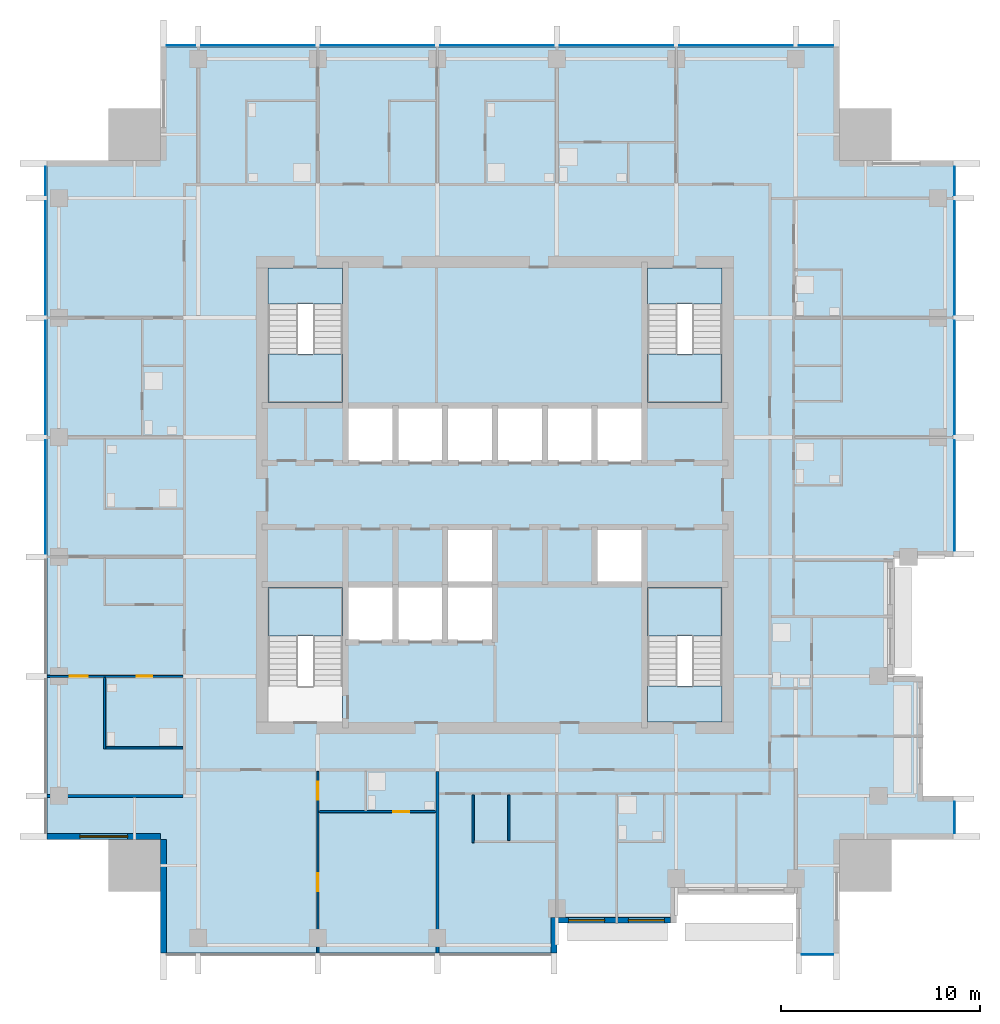
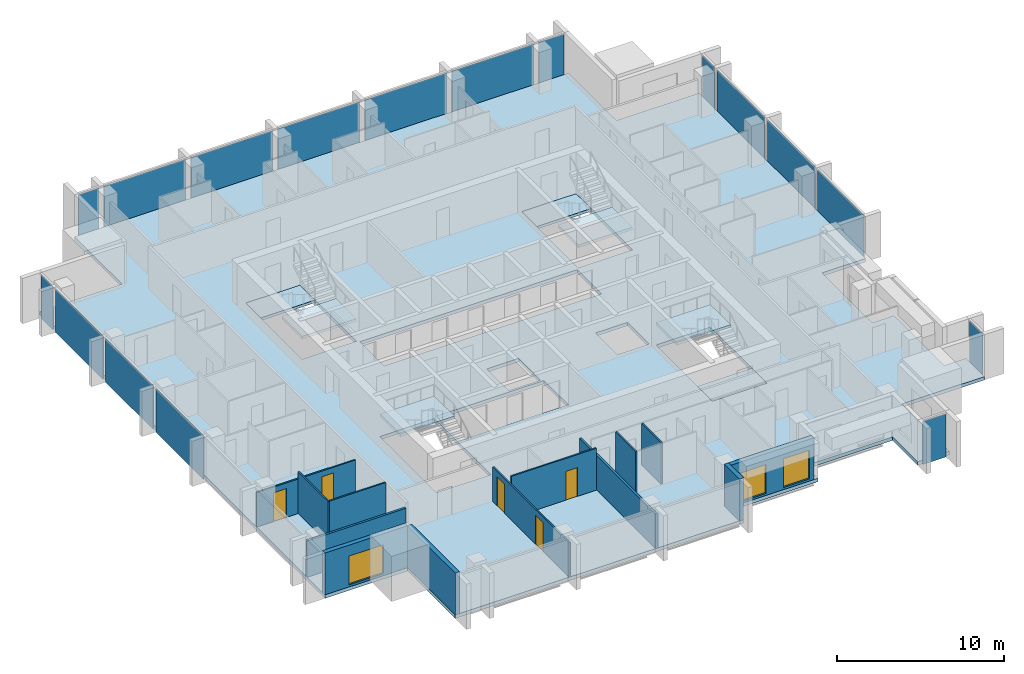
# One storey, part 3 of 10: 17 plates, 13 walls, 8 slabs, 5 doors, 3 windows, 8 openings, 9 elements without a shape of their own.
"""IFC4 building model written with IfcOpenShell, lengths in metres."""

from ifc_helpers import new_model, si_unit, direction, frame, frame_2d, origin, origin_2d, place, context, subcontext, project, spatial, polyline, rectangle, outline, extrude, material, layer, layer_set, type_object, element, fill, aggregate, save


model = new_model("IFC4")

# Units and contexts
model_context = context("Model", 3, precision=1e-05, world=origin(), true_north=direction((0.0, 1.0)))
body_context = subcontext(model_context, "Body", "Model", "MODEL_VIEW")
ifc_project = project(units=[si_unit("LENGTHUNIT", "METRE"), si_unit("AREAUNIT", "SQUARE_METRE"), si_unit("VOLUMEUNIT", "CUBIC_METRE"), si_unit("PLANEANGLEUNIT", "RADIAN"), si_unit("MASSUNIT", "GRAM", prefix="KILO")], contexts=[model_context])

# Site, building, storey
site_placement = place(None, origin())
site = spatial("IfcSite", under=ifc_project, at=site_placement, CompositionType="ELEMENT")
building_placement = place(site_placement, origin())
building = spatial("IfcBuilding", under=site, at=building_placement, Name="Amberfall Residences", CompositionType="ELEMENT")
storey_placement = place(building_placement, frame((0.0, 0.0, 203.5)))
storey = spatial("IfcBuildingStorey", under=building, at=storey_placement, Name="L54", CompositionType="ELEMENT", Elevation=203.5)

# Curtain wall, plate
ifc_material_1 = material(Name="Bronze anodised aluminium and glass", Category="aluminium")
curtain_wall_type = type_object("IfcCurtainWallType", Name="Curtain wall CW1 tower unit", PredefinedType="USERDEFINED", material=ifc_material_1)
curtain_wall_1_placement = place(storey_placement, origin())
curtain_wall_1 = element("IfcCurtainWall", 1, at=curtain_wall_1_placement, inside=storey, type_object=curtain_wall_type, Name="Curtain wall L54 S S7", ObjectType="UNITISED CURTAIN WALL", PredefinedType="USERDEFINED")
ifc_material_2 = material(Name="Tinted double glazed unit", Category="glass")
ifc_layer_1 = layer(ifc_material_2, 0.035888671875)
ifc_layer_set_1 = layer_set([ifc_layer_1], Name="CW1 panel 36 glazing")
plate_type = type_object("IfcPlateType", Name="CW1 panel 36 glazing", PredefinedType="CURTAIN_PANEL", material=ifc_layer_set_1)
plate_1_placement = place(storey_placement, frame((90.699951171875, 22.425048828125, -0.25), z_axis=(0.0, 0.0, 1.0), x_axis=(1.0, 0.0, 0.0)))
plate_1 = element("IfcPlate", 2, at=plate_1_placement, type_object=plate_type, Name="CW1 panel 1.1", PredefinedType="CURTAIN_PANEL", context=body_context, shape_type="SweptSolid", body=[
    extrude(rectangle(XDim=1.575927734375, YDim=0.035888671875, at=origin_2d()), origin(), (0.0, 0.0, 1.0), 3.14990234375),
])
aggregate(curtain_wall_1, [plate_1])

curtain_wall_2_placement = place(storey_placement, origin())
curtain_wall_2 = element("IfcCurtainWall", 3, at=curtain_wall_2_placement, inside=storey, type_object=curtain_wall_type, Name="Curtain wall L54 E E1", ObjectType="UNITISED CURTAIN WALL", PredefinedType="USERDEFINED")
plate_2_placement = place(storey_placement, frame((97.574951171875, 29.300048828125, -0.25), z_axis=(0.0, 0.0, 1.0), x_axis=(0.0, 1.0, 0.0)))
plate_2 = element("IfcPlate", 4, at=plate_2_placement, type_object=plate_type, Name="CW1 panel 1.1", PredefinedType="CURTAIN_PANEL", context=body_context, shape_type="SweptSolid", body=[
    extrude(rectangle(XDim=1.575927734375, YDim=0.035888671875, at=origin_2d()), origin(), (0.0, 0.0, 1.0), 3.14990234375),
])
aggregate(curtain_wall_2, [plate_2])

# Curtain wall, plates
curtain_wall_3_placement = place(storey_placement, origin())
curtain_wall_3 = element("IfcCurtainWall", 5, at=curtain_wall_3_placement, inside=storey, type_object=curtain_wall_type, Name="Curtain wall L54 E E7", ObjectType="UNITISED CURTAIN WALL", PredefinedType="USERDEFINED")
plate_3_placement = place(storey_placement, frame((97.574951171875, 45.47509765625, -0.25), z_axis=(0.0, 0.0, 1.0), x_axis=(0.0, 1.0, 0.0)))
plate_3 = element("IfcPlate", 6, at=plate_3_placement, type_object=plate_type, Name="CW1 panel 1.1", PredefinedType="CURTAIN_PANEL", context=body_context, shape_type="SweptSolid", body=[
    extrude(rectangle(XDim=5.52587890625, YDim=0.035888671875, at=origin_2d()), origin(), (0.0, 0.0, 1.0), 3.14990234375),
])
plate_4_placement = place(storey_placement, frame((97.574951171875, 51.39990234375, -0.25), z_axis=(0.0, 0.0, 1.0), x_axis=(0.0, 1.0, 0.0)))
plate_4 = element("IfcPlate", 7, at=plate_4_placement, type_object=plate_type, Name="CW1 panel 2.1", PredefinedType="CURTAIN_PANEL", context=body_context, shape_type="SweptSolid", body=[
    extrude(rectangle(XDim=5.676025390625, YDim=0.035888671875, at=origin_2d()), origin(), (0.0, 0.0, 1.0), 3.14990234375),
])
plate_5_placement = place(storey_placement, frame((97.574951171875, 57.39990234375, -0.25), z_axis=(0.0, 0.0, 1.0), x_axis=(0.0, 1.0, 0.0)))
plate_5 = element("IfcPlate", 8, at=plate_5_placement, type_object=plate_type, Name="CW1 panel 3.1", PredefinedType="CURTAIN_PANEL", context=body_context, shape_type="SweptSolid", body=[
    extrude(rectangle(XDim=5.676025390625, YDim=0.035888671875, at=origin_2d()), origin(), (0.0, 0.0, 1.0), 3.14990234375),
])
plate_6_placement = place(storey_placement, frame((97.574951171875, 61.27490234375, -0.25), z_axis=(0.0, 0.0, 1.0), x_axis=(0.0, 1.0, 0.0)))
plate_6 = element("IfcPlate", 9, at=plate_6_placement, type_object=plate_type, Name="CW1 panel 4.1", PredefinedType="CURTAIN_PANEL", context=body_context, shape_type="SweptSolid", body=[
    extrude(rectangle(XDim=1.426025390625, YDim=0.035888671875, at=origin_2d()), origin(), (0.0, 0.0, 1.0), 3.14990234375),
])
aggregate(curtain_wall_3, [plate_3, plate_4, plate_5, plate_6])

curtain_wall_4_placement = place(storey_placement, origin())
curtain_wall_4 = element("IfcCurtainWall", 10, at=curtain_wall_4_placement, inside=storey, type_object=curtain_wall_type, Name="Curtain wall L54 N N1", ObjectType="UNITISED CURTAIN WALL", PredefinedType="USERDEFINED")
plate_7_placement = place(storey_placement, frame((90.625, 68.074951171875, -0.25), z_axis=(0.0, 0.0, 1.0), x_axis=(-1.0, 0.0, 0.0)))
plate_7 = element("IfcPlate", 11, at=plate_7_placement, type_object=plate_type, Name="CW1 panel 1.1", PredefinedType="CURTAIN_PANEL", context=body_context, shape_type="SweptSolid", body=[
    extrude(rectangle(XDim=1.72607421875, YDim=0.035888671875, at=origin_2d()), origin(), (0.0, 0.0, 1.0), 3.14990234375),
])
plate_8_placement = place(storey_placement, frame((86.60009765625, 68.074951171875, -0.25), z_axis=(0.0, 0.0, 1.0), x_axis=(-1.0, 0.0, 0.0)))
plate_8 = element("IfcPlate", 12, at=plate_8_placement, type_object=plate_type, Name="CW1 panel 2.1", PredefinedType="CURTAIN_PANEL", context=body_context, shape_type="SweptSolid", body=[
    extrude(rectangle(XDim=5.676025390625, YDim=0.035888671875, at=origin_2d()), origin(), (0.0, 0.0, 1.0), 3.14990234375),
])
plate_9_placement = place(storey_placement, frame((80.60009765625, 68.074951171875, -0.25), z_axis=(0.0, 0.0, 1.0), x_axis=(-1.0, 0.0, 0.0)))
plate_9 = element("IfcPlate", 13, at=plate_9_placement, type_object=plate_type, Name="CW1 panel 3.1", PredefinedType="CURTAIN_PANEL", context=body_context, shape_type="SweptSolid", body=[
    extrude(rectangle(XDim=5.676025390625, YDim=0.035888671875, at=origin_2d()), origin(), (0.0, 0.0, 1.0), 3.14990234375),
])
plate_10_placement = place(storey_placement, frame((74.60009765625, 68.074951171875, -0.25), z_axis=(0.0, 0.0, 1.0), x_axis=(-1.0, 0.0, 0.0)))
plate_10 = element("IfcPlate", 14, at=plate_10_placement, type_object=plate_type, Name="CW1 panel 4.1", PredefinedType="CURTAIN_PANEL", context=body_context, shape_type="SweptSolid", body=[
    extrude(rectangle(XDim=5.676025390625, YDim=0.035888671875, at=origin_2d()), origin(), (0.0, 0.0, 1.0), 3.14990234375),
])
plate_11_placement = place(storey_placement, frame((68.60009765625, 68.074951171875, -0.25), z_axis=(0.0, 0.0, 1.0), x_axis=(-1.0, 0.0, 0.0)))
plate_11 = element("IfcPlate", 15, at=plate_11_placement, type_object=plate_type, Name="CW1 panel 5.1", PredefinedType="CURTAIN_PANEL", context=body_context, shape_type="SweptSolid", body=[
    extrude(rectangle(XDim=5.676025390625, YDim=0.035888671875, at=origin_2d()), origin(), (0.0, 0.0, 1.0), 3.14990234375),
])
plate_12_placement = place(storey_placement, frame((62.60009765625, 68.074951171875, -0.25), z_axis=(0.0, 0.0, 1.0), x_axis=(-1.0, 0.0, 0.0)))
plate_12 = element("IfcPlate", 16, at=plate_12_placement, type_object=plate_type, Name="CW1 panel 6.1", PredefinedType="CURTAIN_PANEL", context=body_context, shape_type="SweptSolid", body=[
    extrude(rectangle(XDim=5.676025390625, YDim=0.035888671875, at=origin_2d()), origin(), (0.0, 0.0, 1.0), 3.14990234375),
])
plate_13_placement = place(storey_placement, frame((58.72509765625, 68.074951171875, -0.25), z_axis=(0.0, 0.0, 1.0), x_axis=(-1.0, 0.0, 0.0)))
plate_13 = element("IfcPlate", 17, at=plate_13_placement, type_object=plate_type, Name="CW1 panel 7.1", PredefinedType="CURTAIN_PANEL", context=body_context, shape_type="SweptSolid", body=[
    extrude(rectangle(XDim=1.426025390625, YDim=0.035888671875, at=origin_2d()), origin(), (0.0, 0.0, 1.0), 3.14990234375),
])
aggregate(curtain_wall_4, [plate_7, plate_8, plate_9, plate_10, plate_11, plate_12, plate_13])

curtain_wall_5_placement = place(storey_placement, origin())
curtain_wall_5 = element("IfcCurtainWall", 18, at=curtain_wall_5_placement, inside=storey, type_object=curtain_wall_type, Name="Curtain wall L54 W W1", ObjectType="UNITISED CURTAIN WALL", PredefinedType="USERDEFINED")
plate_14_placement = place(storey_placement, frame((51.925048828125, 61.27490234375, -0.25), z_axis=(0.0, 0.0, 1.0), x_axis=(0.0, -1.0, 0.0)))
plate_14 = element("IfcPlate", 19, at=plate_14_placement, type_object=plate_type, Name="CW1 panel 1.1", PredefinedType="CURTAIN_PANEL", context=body_context, shape_type="SweptSolid", body=[
    extrude(rectangle(XDim=1.426025390625, YDim=0.035888671875, at=origin_2d()), origin(), (0.0, 0.0, 1.0), 3.14990234375),
])
plate_15_placement = place(storey_placement, frame((51.925048828125, 57.39990234375, -0.25), z_axis=(0.0, 0.0, 1.0), x_axis=(0.0, -1.0, 0.0)))
plate_15 = element("IfcPlate", 20, at=plate_15_placement, type_object=plate_type, Name="CW1 panel 2.1", PredefinedType="CURTAIN_PANEL", context=body_context, shape_type="SweptSolid", body=[
    extrude(rectangle(XDim=5.676025390625, YDim=0.035888671875, at=origin_2d()), origin(), (0.0, 0.0, 1.0), 3.14990234375),
])
plate_16_placement = place(storey_placement, frame((51.925048828125, 51.39990234375, -0.25), z_axis=(0.0, 0.0, 1.0), x_axis=(0.0, -1.0, 0.0)))
plate_16 = element("IfcPlate", 21, at=plate_16_placement, type_object=plate_type, Name="CW1 panel 3.1", PredefinedType="CURTAIN_PANEL", context=body_context, shape_type="SweptSolid", body=[
    extrude(rectangle(XDim=5.676025390625, YDim=0.035888671875, at=origin_2d()), origin(), (0.0, 0.0, 1.0), 3.14990234375),
])
plate_17_placement = place(storey_placement, frame((51.925048828125, 45.39990234375, -0.25), z_axis=(0.0, 0.0, 1.0), x_axis=(0.0, -1.0, 0.0)))
plate_17 = element("IfcPlate", 22, at=plate_17_placement, type_object=plate_type, Name="CW1 panel 4.1", PredefinedType="CURTAIN_PANEL", context=body_context, shape_type="SweptSolid", body=[
    extrude(rectangle(XDim=5.676025390625, YDim=0.035888671875, at=origin_2d()), origin(), (0.0, 0.0, 1.0), 3.14990234375),
])
aggregate(curtain_wall_5, [plate_14, plate_15, plate_16, plate_17])

# Slab
ifc_material_3 = material(Name="Concrete C55", Category="concrete")
ifc_layer_2 = layer(ifc_material_3, 0.25)
ifc_layer_set_2 = layer_set([ifc_layer_2], Name="Floor slab 250 C55")
slab_type_1 = type_object("IfcSlabType", Name="Floor slab 250 C55", PredefinedType="FLOOR", material=ifc_layer_set_2)
slab_1_placement = place(storey_placement, frame((0.0, 0.0, -0.25)))
element("IfcSlab", 23, at=slab_1_placement, inside=storey, type_object=slab_type_1, Name="Floor slab S16 L54", PredefinedType="FLOOR", context=body_context, shape_type="SweptSolid", body=[
    extrude(outline(polyline([(89.60009765625, 22.5), (89.60009765625, 25.5), (83.60009765625, 25.5), (83.60009765625, 24.0), (77.60009765625, 24.0), (77.60009765625, 22.5), (57.699951171875, 22.5), (57.699951171875, 28.199951171875), (52.0, 28.199951171875), (52.0, 62.300048828125), (57.699951171875, 62.300048828125), (57.699951171875, 68.0), (91.800048828125, 68.0), (91.800048828125, 62.300048828125), (97.5, 62.300048828125), (97.5, 42.39990234375), (94.5, 42.39990234375), (94.5, 36.39990234375), (96.0, 36.39990234375), (96.0, 30.39990234375), (97.5, 30.39990234375), (97.5, 28.199951171875), (91.800048828125, 28.199951171875), (91.800048828125, 22.5), (89.60009765625, 22.5)]), holes=[polyline([(85.89990234375, 34.10009765625), (85.89990234375, 40.85009765625), (82.14990234375, 40.85009765625), (82.14990234375, 34.10009765625), (85.89990234375, 34.10009765625)]), polyline([(85.89990234375, 50.14990234375), (85.89990234375, 56.89990234375), (82.14990234375, 56.89990234375), (82.14990234375, 50.14990234375), (85.89990234375, 50.14990234375)]), polyline([(72.0, 50.0), (69.5, 50.0), (67.0, 50.0), (67.0, 47.10009765625), (69.5, 47.10009765625), (72.0, 47.10009765625), (74.5, 47.10009765625), (77.0, 47.10009765625), (79.5, 47.10009765625), (82.0, 47.10009765625), (82.0, 50.0), (79.5, 50.0), (77.0, 50.0), (74.5, 50.0), (72.0, 50.0)]), polyline([(81.85009765625, 41.14990234375), (81.85009765625, 43.75), (79.64990234375, 43.75), (79.64990234375, 41.14990234375), (81.85009765625, 41.14990234375)]), polyline([(69.5, 41.0), (67.0, 41.0), (67.0, 38.10009765625), (69.5, 38.10009765625), (72.0, 38.10009765625), (74.5, 38.10009765625), (74.5, 41.0), (72.0, 41.0), (69.5, 41.0)]), polyline([(74.35009765625, 41.14990234375), (74.35009765625, 43.75), (72.14990234375, 43.75), (72.14990234375, 41.14990234375), (74.35009765625, 41.14990234375)]), polyline([(66.85009765625, 50.14990234375), (66.85009765625, 56.89990234375), (63.10009765625, 56.89990234375), (63.10009765625, 50.14990234375), (66.85009765625, 50.14990234375)]), polyline([(66.85009765625, 40.85009765625), (63.10009765625, 40.85009765625), (63.10009765625, 34.10009765625), (66.85009765625, 34.10009765625), (66.85009765625, 40.85009765625)])]), origin(), (0.0, 0.0, 1.0), 0.25),
])

# Stair, slab
ifc_material_4 = material(Name="Concrete C40", Category="concrete")
stair_type = type_object("IfcStairType", Name="Exit stair 20 risers 165.0 mm", PredefinedType="HALF_TURN_STAIR", material=ifc_material_4)
stair_1_placement = place(storey_placement, origin())
stair_1 = element("IfcStair", 24, at=stair_1_placement, inside=storey, type_object=stair_type, Name="L54 Exit stair 1", PredefinedType="HALF_TURN_STAIR")
ifc_layer_3 = layer(ifc_material_4, 0.199951171875)
ifc_layer_set_3 = layer_set([ifc_layer_3], Name="Stair landing 200")
slab_type_2 = type_object("IfcSlabType", Name="Stair landing 200", PredefinedType="LANDING", material=ifc_layer_set_3)
slab_2_placement = place(storey_placement, frame((0.0, 0.0, 1.449951171875)))
slab_2 = element("IfcSlab", 25, at=slab_2_placement, type_object=slab_type_2, Name="ST3 landing 1", PredefinedType="LANDING", context=body_context, shape_type="SweptSolid", body=[
    extrude(outline(polyline([(66.85009765625, 38.419921875), (66.85009765625, 40.85009765625), (63.10009765625, 40.85009765625), (63.10009765625, 38.419921875), (66.85009765625, 38.419921875)])), origin(), (0.0, 0.0, 1.0), 0.199951171875),
])
aggregate(stair_1, [slab_2])

# Stair, slabs
stair_2_placement = place(storey_placement, origin())
stair_2 = element("IfcStair", 26, at=stair_2_placement, inside=storey, type_object=stair_type, Name="L54 Exit stair 2", PredefinedType="HALF_TURN_STAIR")
slab_3_placement = place(storey_placement, frame((0.0, 0.0, 1.449951171875)))
slab_3 = element("IfcSlab", 27, at=slab_3_placement, type_object=slab_type_2, Name="ST3 landing 1", PredefinedType="LANDING", context=body_context, shape_type="SweptSolid", body=[
    extrude(outline(polyline([(85.89990234375, 38.419921875), (85.89990234375, 40.85009765625), (82.14990234375, 40.85009765625), (82.14990234375, 38.419921875), (85.89990234375, 38.419921875)])), origin(), (0.0, 0.0, 1.0), 0.199951171875),
])
slab_4_placement = place(storey_placement, frame((0.0, 0.0, -0.199951171875)))
slab_4 = element("IfcSlab", 28, at=slab_4_placement, type_object=slab_type_2, Name="ST3 landing 2", PredefinedType="LANDING", context=body_context, shape_type="SweptSolid", body=[
    extrude(outline(polyline([(85.89990234375, 34.10009765625), (85.89990234375, 35.89990234375), (82.14990234375, 35.89990234375), (82.14990234375, 34.10009765625), (85.89990234375, 34.10009765625)])), origin(), (0.0, 0.0, 1.0), 0.199951171875),
])
aggregate(stair_2, [slab_3, slab_4])

stair_3_placement = place(storey_placement, origin())
stair_3 = element("IfcStair", 29, at=stair_3_placement, inside=storey, type_object=stair_type, Name="L54 Exit stair 3", PredefinedType="HALF_TURN_STAIR")
slab_5_placement = place(storey_placement, frame((0.0, 0.0, 1.449951171875)))
slab_5 = element("IfcSlab", 30, at=slab_5_placement, type_object=slab_type_2, Name="ST3 landing 1", PredefinedType="LANDING", context=body_context, shape_type="SweptSolid", body=[
    extrude(outline(polyline([(82.14990234375, 52.580078125), (82.14990234375, 50.14990234375), (85.89990234375, 50.14990234375), (85.89990234375, 52.580078125), (82.14990234375, 52.580078125)])), origin(), (0.0, 0.0, 1.0), 0.199951171875),
])
slab_6_placement = place(storey_placement, frame((0.0, 0.0, -0.199951171875)))
slab_6 = element("IfcSlab", 31, at=slab_6_placement, type_object=slab_type_2, Name="ST3 landing 2", PredefinedType="LANDING", context=body_context, shape_type="SweptSolid", body=[
    extrude(outline(polyline([(82.14990234375, 56.89990234375), (82.14990234375, 55.10009765625), (85.89990234375, 55.10009765625), (85.89990234375, 56.89990234375), (82.14990234375, 56.89990234375)])), origin(), (0.0, 0.0, 1.0), 0.199951171875),
])
aggregate(stair_3, [slab_5, slab_6])

stair_4_placement = place(storey_placement, origin())
stair_4 = element("IfcStair", 32, at=stair_4_placement, inside=storey, type_object=stair_type, Name="L54 Exit stair 4", PredefinedType="HALF_TURN_STAIR")
slab_7_placement = place(storey_placement, frame((0.0, 0.0, 1.449951171875)))
slab_7 = element("IfcSlab", 33, at=slab_7_placement, type_object=slab_type_2, Name="ST3 landing 1", PredefinedType="LANDING", context=body_context, shape_type="SweptSolid", body=[
    extrude(outline(polyline([(63.10009765625, 52.580078125), (63.10009765625, 50.14990234375), (66.85009765625, 50.14990234375), (66.85009765625, 52.580078125), (63.10009765625, 52.580078125)])), origin(), (0.0, 0.0, 1.0), 0.199951171875),
])
slab_8_placement = place(storey_placement, frame((0.0, 0.0, -0.199951171875)))
slab_8 = element("IfcSlab", 34, at=slab_8_placement, type_object=slab_type_2, Name="ST3 landing 2", PredefinedType="LANDING", context=body_context, shape_type="SweptSolid", body=[
    extrude(outline(polyline([(63.10009765625, 56.89990234375), (63.10009765625, 55.10009765625), (66.85009765625, 55.10009765625), (66.85009765625, 56.89990234375), (63.10009765625, 56.89990234375)])), origin(), (0.0, 0.0, 1.0), 0.199951171875),
])
aggregate(stair_4, [slab_7, slab_8])

# Wall
ifc_material_5 = material(Name="Pale stone cladding on insulated backing", Category="masonry")
ifc_layer_4 = layer(ifc_material_5, 0.300048828125)
ifc_layer_set_4 = layer_set([ifc_layer_4], Name="Bronze clad wall 300")
wall_type_1 = type_object("IfcWallType", Name="Bronze clad wall 300", PredefinedType="SOLIDWALL", material=ifc_layer_set_4)
wall_1_placement = place(storey_placement, frame((77.449951171875, 22.5, 0.0), z_axis=(0.0, 0.0, 1.0), x_axis=(0.0, 1.0, 0.0)))
element("IfcWall", 35, at=wall_1_placement, inside=storey, type_object=wall_type_1, Name="External wall L54 S", PredefinedType="SOLIDWALL", context=body_context, shape_type="SweptSolid", body=[
    extrude(rectangle(XDim=1.800048828125, YDim=0.300048828125, at=frame_2d((0.89990234375, 0.0))), origin(), (0.0, 0.0, 1.0), 3.050048828125),
])

# Wall, opening, window
wall_2_placement = place(storey_placement, frame((52.0, 28.35009765625, 0.0), z_axis=(0.0, 0.0, 1.0), x_axis=(1.0, 0.0, 0.0)))
wall_2 = element("IfcWall", 36, at=wall_2_placement, inside=storey, type_object=wall_type_1, Name="External wall L54 SW", PredefinedType="SOLIDWALL", context=body_context, shape_type="SweptSolid", body=[
    extrude(rectangle(XDim=5.699951171875, YDim=0.300048828125, at=frame_2d((2.85009765625, 0.0))), origin(), (0.0, 0.0, 1.0), 3.050048828125),
])
opening_1_placement = place(wall_2_placement, frame((1.64990234375, 0.0, 0.14990234375)))
opening_1 = element("IfcOpeningElement", 37, at=opening_1_placement, cuts=wall_2, Name="Opening WN5", PredefinedType="OPENING", context=body_context, shape_type="SweptSolid", body=[
    extrude(rectangle(XDim=2.39990234375, YDim=2.10009765625, at=frame_2d((1.199951171875, 1.050048828125))), frame((0.0, 0.159912109375, 0.0), z_axis=(0.0, -1.0, 0.0), x_axis=(1.0, 0.0, 0.0)), (0.0, 0.0, 1.0), 0.320068359375),
])
ifc_material_6 = material(Name="Bronze aluminium framed glazing", Category="aluminium")
window_type_1 = type_object("IfcWindowType", Name="Glazed opening 2400 x 2100 bronze", PartitioningType="DOUBLE_PANEL_VERTICAL", PredefinedType="WINDOW", material=ifc_material_6)
window_1_placement = place(opening_1_placement, origin())
window_1 = element("IfcWindow", 38, at=window_1_placement, inside=storey, type_object=window_type_1, Name="Window L54 SW", OverallHeight=2.10009765625, OverallWidth=2.39990234375, PartitioningType="DOUBLE_PANEL_VERTICAL", PredefinedType="WINDOW", context=body_context, shape_type="SweptSolid", body=[
    extrude(rectangle(XDim=2.39990234375, YDim=2.10009765625, at=frame_2d((1.199951171875, 1.050048828125))), frame((0.0, 0.030029296875, 0.0), z_axis=(0.0, -1.0, 0.0), x_axis=(1.0, 0.0, 0.0)), (0.0, 0.0, 1.0), 0.06005859375),
])
fill(opening_1, window_1)

# Wall
wall_3_placement = place(storey_placement, frame((57.85009765625, 28.199951171875, 0.0), z_axis=(0.0, 0.0, 1.0), x_axis=(0.0, -1.0, 0.0)))
element("IfcWall", 39, at=wall_3_placement, inside=storey, type_object=wall_type_1, Name="External wall L54 SW", PredefinedType="SOLIDWALL", context=body_context, shape_type="SweptSolid", body=[
    extrude(rectangle(XDim=5.699951171875, YDim=0.300048828125, at=frame_2d((2.85009765625, 0.0))), origin(), (0.0, 0.0, 1.0), 3.050048828125),
])

# Wall, openings, windows
wall_4_placement = place(storey_placement, frame((77.60009765625, 24.14990234375, 0.0), z_axis=(0.0, 0.0, 1.0), x_axis=(1.0, 0.0, 0.0)))
wall_4 = element("IfcWall", 40, at=wall_4_placement, inside=storey, type_object=wall_type_1, Name="Stone wall L54 S", PredefinedType="SOLIDWALL", context=body_context, shape_type="SweptSolid", body=[
    extrude(rectangle(XDim=5.699951171875, YDim=0.300048828125, at=frame_2d((2.85009765625, 0.0))), origin(), (0.0, 0.0, 1.0), 3.050048828125),
])
opening_2_placement = place(wall_4_placement, frame((0.60009765625, 0.0, 0.14990234375)))
opening_2 = element("IfcOpeningElement", 41, at=opening_2_placement, cuts=wall_4, Name="Opening WN6", PredefinedType="OPENING", context=body_context, shape_type="SweptSolid", body=[
    extrude(rectangle(XDim=1.800048828125, YDim=2.10009765625, at=frame_2d((0.89990234375, 1.050048828125))), frame((0.0, 0.159912109375, 0.0), z_axis=(0.0, -1.0, 0.0), x_axis=(1.0, 0.0, 0.0)), (0.0, 0.0, 1.0), 0.320068359375),
])
opening_3_placement = place(wall_4_placement, frame((3.60009765625, 0.0, 0.14990234375)))
opening_3 = element("IfcOpeningElement", 42, at=opening_3_placement, cuts=wall_4, Name="Opening WN6", PredefinedType="OPENING", context=body_context, shape_type="SweptSolid", body=[
    extrude(rectangle(XDim=1.800048828125, YDim=2.10009765625, at=frame_2d((0.89990234375, 1.050048828125))), frame((0.0, 0.159912109375, 0.0), z_axis=(0.0, -1.0, 0.0), x_axis=(1.0, 0.0, 0.0)), (0.0, 0.0, 1.0), 0.320068359375),
])
window_type_2 = type_object("IfcWindowType", Name="Glazed opening 1800 x 2100 bronze", PartitioningType="DOUBLE_PANEL_VERTICAL", PredefinedType="WINDOW", material=ifc_material_6)
window_2_placement = place(opening_2_placement, origin())
window_2 = element("IfcWindow", 43, at=window_2_placement, inside=storey, type_object=window_type_2, Name="Window L54 S", OverallHeight=2.10009765625, OverallWidth=1.800048828125, PartitioningType="DOUBLE_PANEL_VERTICAL", PredefinedType="WINDOW", context=body_context, shape_type="SweptSolid", body=[
    extrude(rectangle(XDim=1.800048828125, YDim=2.10009765625, at=frame_2d((0.89990234375, 1.050048828125))), frame((0.0, 0.030029296875, 0.0), z_axis=(0.0, -1.0, 0.0), x_axis=(1.0, 0.0, 0.0)), (0.0, 0.0, 1.0), 0.06005859375),
])
fill(opening_2, window_2)
window_3_placement = place(opening_3_placement, origin())
window_3 = element("IfcWindow", 44, at=window_3_placement, inside=storey, type_object=window_type_2, Name="Window L54 S", OverallHeight=2.10009765625, OverallWidth=1.800048828125, PartitioningType="DOUBLE_PANEL_VERTICAL", PredefinedType="WINDOW", context=body_context, shape_type="SweptSolid", body=[
    extrude(rectangle(XDim=1.800048828125, YDim=2.10009765625, at=frame_2d((0.89990234375, 1.050048828125))), frame((0.0, 0.030029296875, 0.0), z_axis=(0.0, -1.0, 0.0), x_axis=(1.0, 0.0, 0.0)), (0.0, 0.0, 1.0), 0.06005859375),
])
fill(opening_3, window_3)

# Wall
ifc_material_7 = material(Name="Gypsum board on metal stud")
ifc_layer_5 = layer(ifc_material_7, 0.10009765625)
ifc_layer_set_5 = layer_set([ifc_layer_5], Name="Flat partition 100")
wall_type_2 = type_object("IfcWallType", Name="Flat partition 100", PredefinedType="PARTITIONING", material=ifc_layer_set_5)
wall_5_placement = place(storey_placement, frame((54.89990234375, 32.75, 0.0), z_axis=(0.0, 0.0, 1.0), x_axis=(0.0, 1.0, 0.0)))
element("IfcWall", 45, at=wall_5_placement, inside=storey, type_object=wall_type_2, Name="Partition 001", PredefinedType="PARTITIONING", context=body_context, shape_type="SweptSolid", body=[
    extrude(rectangle(XDim=3.60009765625, YDim=0.10009765625, at=frame_2d((1.800048828125, 0.0))), origin(), (0.0, 0.0, 1.0), 3.050048828125),
])

# Wall, openings, doors
wall_6_placement = place(storey_placement, frame((65.60009765625, 31.625, 0.0), z_axis=(0.0, 0.0, 1.0), x_axis=(0.0, -1.0, 0.0)))
wall_6 = element("IfcWall", 46, at=wall_6_placement, inside=storey, type_object=wall_type_2, Name="Partition 006", PredefinedType="PARTITIONING", context=body_context, shape_type="SweptSolid", body=[
    extrude(rectangle(XDim=9.125, YDim=0.10009765625, at=frame_2d((4.5625, 0.0))), origin(), (0.0, 0.0, 1.0), 2.51611328125),
])
opening_4_placement = place(wall_6_placement, frame((0.52490234375, 0.0, 0.0)))
opening_4 = element("IfcOpeningElement", 47, at=opening_4_placement, cuts=wall_6, Name="Opening D41", PredefinedType="OPENING", context=body_context, shape_type="SweptSolid", body=[
    extrude(rectangle(XDim=0.89990234375, YDim=2.10009765625, at=frame_2d((0.449951171875, 1.050048828125))), frame((0.0, 0.06005859375, 0.0), z_axis=(0.0, -1.0, 0.0), x_axis=(1.0, 0.0, 0.0)), (0.0, 0.0, 1.0), 0.1201171875),
])
opening_5_placement = place(wall_6_placement, frame((5.125, 0.0, 0.0)))
opening_5 = element("IfcOpeningElement", 48, at=opening_5_placement, cuts=wall_6, Name="Opening D41", PredefinedType="OPENING", context=body_context, shape_type="SweptSolid", body=[
    extrude(rectangle(XDim=0.89990234375, YDim=2.10009765625, at=frame_2d((0.449951171875, 1.050048828125))), frame((0.0, 0.06005859375, 0.0), z_axis=(0.0, -1.0, 0.0), x_axis=(1.0, 0.0, 0.0)), (0.0, 0.0, 1.0), 0.1201171875),
])
ifc_material_8 = material(Name="Timber", Category="wood")
door_type_1 = type_object("IfcDoorType", Name="Internal door 900 x 2100", OperationType="SINGLE_SWING_LEFT", PredefinedType="DOOR", material=ifc_material_8)
door_1_placement = place(opening_4_placement, origin())
door_1 = element("IfcDoor", 49, at=door_1_placement, inside=storey, type_object=door_type_1, Name="Door 5401 kitchen", OperationType="SINGLE_SWING_LEFT", OverallHeight=2.10009765625, OverallWidth=0.89990234375, PredefinedType="DOOR", context=body_context, shape_type="SweptSolid", body=[
    extrude(rectangle(XDim=0.89990234375, YDim=2.10009765625, at=frame_2d((0.449951171875, 1.050048828125))), frame((0.0, 0.02490234375, 0.0), z_axis=(0.0, -1.0, 0.0), x_axis=(1.0, 0.0, 0.0)), (0.0, 0.0, 1.0), 0.050048828125),
])
fill(opening_4, door_1)
door_2_placement = place(opening_5_placement, origin())
door_2 = element("IfcDoor", 50, at=door_2_placement, inside=storey, type_object=door_type_1, Name="Door 5401 bedroom1", OperationType="SINGLE_SWING_LEFT", OverallHeight=2.10009765625, OverallWidth=0.89990234375, PredefinedType="DOOR", context=body_context, shape_type="SweptSolid", body=[
    extrude(rectangle(XDim=0.89990234375, YDim=2.10009765625, at=frame_2d((0.449951171875, 1.050048828125))), frame((0.0, 0.02490234375, 0.0), z_axis=(0.0, -1.0, 0.0), x_axis=(1.0, 0.0, 0.0)), (0.0, 0.0, 1.0), 0.050048828125),
])
fill(opening_5, door_2)

# Walls
wall_7_placement = place(storey_placement, frame((73.39990234375, 28.050048828125, 0.0), z_axis=(0.0, 0.0, 1.0), x_axis=(0.0, 1.0, 0.0)))
element("IfcWall", 51, at=wall_7_placement, inside=storey, type_object=wall_type_2, Name="Partition 011", PredefinedType="PARTITIONING", context=body_context, shape_type="SweptSolid", body=[
    extrude(rectangle(XDim=2.39990234375, YDim=0.10009765625, at=frame_2d((1.199951171875, 0.0))), origin(), (0.0, 0.0, 1.0), 3.050048828125),
])
wall_8_placement = place(storey_placement, frame((75.199951171875, 28.14990234375, 0.0), z_axis=(0.0, 0.0, 1.0), x_axis=(0.0, 1.0, 0.0)))
element("IfcWall", 52, at=wall_8_placement, inside=storey, type_object=wall_type_2, Name="Partition 013", PredefinedType="PARTITIONING", context=body_context, shape_type="SweptSolid", body=[
    extrude(rectangle(XDim=2.300048828125, YDim=0.10009765625, at=frame_2d((1.14990234375, 0.0))), origin(), (0.0, 0.0, 1.0), 3.050048828125),
])

# Wall, openings, doors
wall_9_placement = place(storey_placement, frame((58.824951171875, 36.39990234375, 0.0), z_axis=(0.0, 0.0, 1.0), x_axis=(-1.0, 0.0, 0.0)))
wall_9 = element("IfcWall", 53, at=wall_9_placement, inside=storey, type_object=wall_type_2, Name="Partition 041", PredefinedType="PARTITIONING", context=body_context, shape_type="SweptSolid", body=[
    extrude(rectangle(XDim=6.824951171875, YDim=0.10009765625, at=frame_2d((3.41259765625, 0.0))), origin(), (0.0, 0.0, 1.0), 2.51611328125),
])
opening_6_placement = place(wall_9_placement, frame((4.77490234375, 0.0, 0.0)))
opening_6 = element("IfcOpeningElement", 54, at=opening_6_placement, cuts=wall_9, Name="Opening D41", PredefinedType="OPENING", context=body_context, shape_type="SweptSolid", body=[
    extrude(rectangle(XDim=0.89990234375, YDim=2.10009765625, at=frame_2d((0.449951171875, 1.050048828125))), frame((0.0, 0.06005859375, 0.0), z_axis=(0.0, -1.0, 0.0), x_axis=(1.0, 0.0, 0.0)), (0.0, 0.0, 1.0), 0.1201171875),
])
opening_7_placement = place(wall_9_placement, frame((1.52490234375, 0.0, 0.0)))
opening_7 = element("IfcOpeningElement", 55, at=opening_7_placement, cuts=wall_9, Name="Opening D42", PredefinedType="OPENING", context=body_context, shape_type="SweptSolid", body=[
    extrude(rectangle(XDim=0.800048828125, YDim=2.10009765625, at=frame_2d((0.39990234375, 1.050048828125))), frame((0.0, 0.06005859375, 0.0), z_axis=(0.0, -1.0, 0.0), x_axis=(1.0, 0.0, 0.0)), (0.0, 0.0, 1.0), 0.1201171875),
])
door_type_2 = type_object("IfcDoorType", Name="Bathroom door 800 x 2100", OperationType="SINGLE_SWING_LEFT", PredefinedType="DOOR", material=ifc_material_8)
door_3_placement = place(opening_7_placement, origin())
door_3 = element("IfcDoor", 56, at=door_3_placement, inside=storey, type_object=door_type_2, Name="Door 5407 bath1", OperationType="SINGLE_SWING_LEFT", OverallHeight=2.10009765625, OverallWidth=0.800048828125, PredefinedType="DOOR", context=body_context, shape_type="SweptSolid", body=[
    extrude(rectangle(XDim=0.800048828125, YDim=2.10009765625, at=frame_2d((0.39990234375, 1.050048828125))), frame((0.0, 0.02490234375, 0.0), z_axis=(0.0, -1.0, 0.0), x_axis=(1.0, 0.0, 0.0)), (0.0, 0.0, 1.0), 0.050048828125),
])
fill(opening_7, door_3)
door_4_placement = place(opening_6_placement, origin())
door_4 = element("IfcDoor", 57, at=door_4_placement, inside=storey, type_object=door_type_1, Name="Door 5407 bedroom1", OperationType="SINGLE_SWING_LEFT", OverallHeight=2.10009765625, OverallWidth=0.89990234375, PredefinedType="DOOR", context=body_context, shape_type="SweptSolid", body=[
    extrude(rectangle(XDim=0.89990234375, YDim=2.10009765625, at=frame_2d((0.449951171875, 1.050048828125))), frame((0.0, 0.02490234375, 0.0), z_axis=(0.0, -1.0, 0.0), x_axis=(1.0, 0.0, 0.0)), (0.0, 0.0, 1.0), 0.050048828125),
])
fill(opening_6, door_4)

# Wall
wall_10_placement = place(storey_placement, frame((54.949951171875, 32.800048828125, 0.0), z_axis=(0.0, 0.0, 1.0), x_axis=(1.0, 0.0, 0.0)))
element("IfcWall", 58, at=wall_10_placement, inside=storey, type_object=wall_type_2, Name="Partition 044", PredefinedType="PARTITIONING", context=body_context, shape_type="SweptSolid", body=[
    extrude(rectangle(XDim=3.875, YDim=0.10009765625, at=frame_2d((1.9375, 0.0))), origin(), (0.0, 0.0, 1.0), 3.050048828125),
])

# Wall, opening, door
wall_11_placement = place(storey_placement, frame((65.64990234375, 29.60009765625, 0.0), z_axis=(0.0, 0.0, 1.0), x_axis=(1.0, 0.0, 0.0)))
wall_11 = element("IfcWall", 59, at=wall_11_placement, inside=storey, type_object=wall_type_2, Name="Partition 046", PredefinedType="PARTITIONING", context=body_context, shape_type="SweptSolid", body=[
    extrude(rectangle(XDim=5.875, YDim=0.10009765625, at=frame_2d((2.9375, 0.0))), origin(), (0.0, 0.0, 1.0), 3.050048828125),
])
opening_8_placement = place(wall_11_placement, frame((3.75, 0.0, 0.0)))
opening_8 = element("IfcOpeningElement", 60, at=opening_8_placement, cuts=wall_11, Name="Opening D42", PredefinedType="OPENING", context=body_context, shape_type="SweptSolid", body=[
    extrude(rectangle(XDim=0.800048828125, YDim=2.10009765625, at=frame_2d((0.39990234375, 1.050048828125))), frame((0.0, 0.06005859375, 0.0), z_axis=(0.0, -1.0, 0.0), x_axis=(1.0, 0.0, 0.0)), (0.0, 0.0, 1.0), 0.1201171875),
])
door_5_placement = place(opening_8_placement, origin())
door_5 = element("IfcDoor", 61, at=door_5_placement, inside=storey, type_object=door_type_2, Name="Door 5401 bath1", OperationType="SINGLE_SWING_LEFT", OverallHeight=2.10009765625, OverallWidth=0.800048828125, PredefinedType="DOOR", context=body_context, shape_type="SweptSolid", body=[
    extrude(rectangle(XDim=0.800048828125, YDim=2.10009765625, at=frame_2d((0.39990234375, 1.050048828125))), frame((0.0, 0.02490234375, 0.0), z_axis=(0.0, -1.0, 0.0), x_axis=(1.0, 0.0, 0.0)), (0.0, 0.0, 1.0), 0.050048828125),
])
fill(opening_8, door_5)

# Walls
ifc_material_9 = material(Name="Blockwork, plastered", Category="masonry")
ifc_layer_6 = layer(ifc_material_9, 0.14990234375)
ifc_layer_set_6 = layer_set([ifc_layer_6], Name="Flat separating wall 150")
wall_type_3 = type_object("IfcWallType", Name="Flat separating wall 150", PredefinedType="PARTITIONING", material=ifc_layer_set_6)
wall_12_placement = place(storey_placement, frame((71.60009765625, 22.5, 0.0), z_axis=(0.0, 0.0, 1.0), x_axis=(0.0, 1.0, 0.0)))
element("IfcWall", 62, at=wall_12_placement, inside=storey, type_object=wall_type_3, Name="Separating wall 051", PredefinedType="PARTITIONING", context=body_context, shape_type="SweptSolid", body=[
    extrude(rectangle(XDim=9.125, YDim=0.14990234375, at=frame_2d((4.5625, 0.0))), origin(), (0.0, 0.0, 1.0), 2.51611328125),
])
wall_13_placement = place(storey_placement, frame((52.0, 30.39990234375, 0.0), z_axis=(0.0, 0.0, 1.0), x_axis=(1.0, 0.0, 0.0)))
element("IfcWall", 63, at=wall_13_placement, inside=storey, type_object=wall_type_3, Name="Separating wall 060", PredefinedType="PARTITIONING", context=body_context, shape_type="SweptSolid", body=[
    extrude(rectangle(XDim=6.824951171875, YDim=0.14990234375, at=frame_2d((3.41259765625, 0.0))), origin(), (0.0, 0.0, 1.0), 2.64697265625),
])

save(model, "model.ifc")
